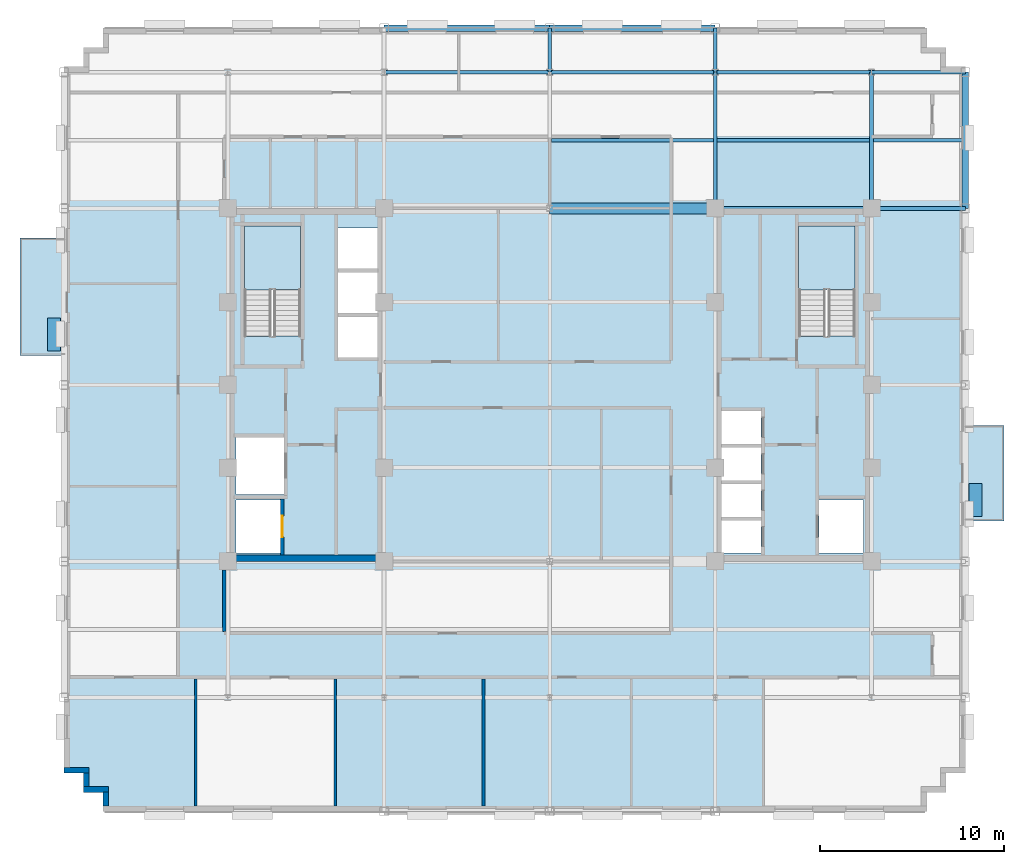
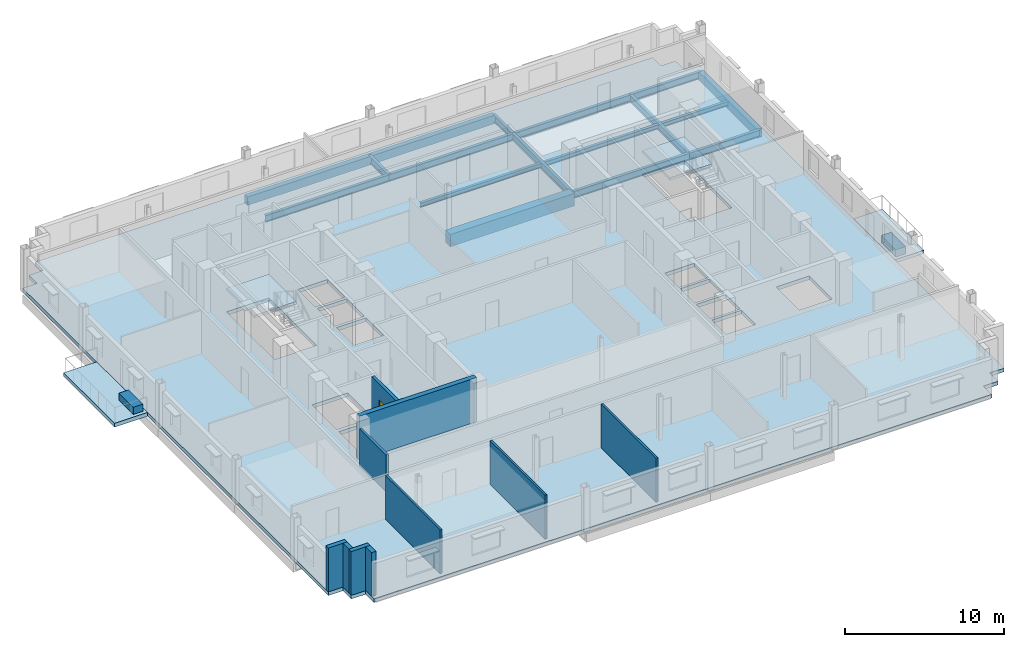
# One storey, part 6 of 15: 17 beams, 10 walls, 5 slabs, 2 plates, 1 door, 1 opening, 2 elements without a shape of their own.
"""IFC4 building model written with IfcOpenShell, lengths in metres."""

from ifc_helpers import new_model, si_unit, direction, frame, frame_2d, origin, origin_2d, place, context, subcontext, project, spatial, polyline, rectangle, i_section, outline, extrude, source, transform, mapped, material, layer, layer_set, material_profile, profile_set, type_object, type_shapes, element, fill, aggregate, save


model = new_model("IFC4")

# Units and contexts
model_context = context("Model", 3, precision=1e-05, world=origin(), true_north=direction((0.0, 1.0)))
body_context = subcontext(model_context, "Body", "Model", "MODEL_VIEW")
ifc_project = project(units=[si_unit("LENGTHUNIT", "METRE"), si_unit("AREAUNIT", "SQUARE_METRE"), si_unit("VOLUMEUNIT", "CUBIC_METRE"), si_unit("PLANEANGLEUNIT", "RADIAN"), si_unit("MASSUNIT", "GRAM", prefix="KILO")], contexts=[model_context])

# Site, building, storey
site_placement = place(None, origin())
site = spatial("IfcSite", under=ifc_project, at=site_placement, CompositionType="ELEMENT")
building_placement = place(site_placement, origin())
building = spatial("IfcBuilding", under=site, at=building_placement, Name="Nuvemarco Arch Tower", CompositionType="ELEMENT")
storey_placement = place(building_placement, frame((0.0, 0.0, 198.199951171875)))
storey = spatial("IfcBuildingStorey", under=building, at=storey_placement, Name="L52", CompositionType="ELEMENT", Elevation=198.199951171875)

# Beams
ifc_material_1 = material(Name="Concrete C60/75", Category="concrete")
ifc_material_profile_1 = material_profile(ifc_material_1, rectangle(XDim=0.60009765625, YDim=0.949951171875, at=origin_2d()), Name="RC-BM-600x950")
ifc_profile_set_1 = profile_set([ifc_material_profile_1], Name="Concrete C60/75")
beam_type_1 = type_object("IfcBeamType", Name="BM-COUP-RC", PredefinedType="LINTEL", material=ifc_profile_set_1)
beam_1_placement = place(storey_placement, frame((0.0, 9.60009765625, -0.7548828125), z_axis=(1.0, 0.0, 0.0), x_axis=(0.0, 1.0, 0.0)))
element("IfcBeam", 1, at=beam_1_placement, inside=storey, type_object=beam_type_1, Name="L52 structural beam BGEW_L52_0_+9.6_+0.0", PredefinedType="LINTEL", context=body_context, shape_type="SweptSolid", body=[
    extrude(rectangle(XDim=0.60009765625, YDim=0.949951171875, at=origin_2d()), origin(), (0.0, 0.0, 1.0), 9.0),
])
ifc_material_2 = material(Name="Steel S355", Category="steel")
ifc_material_profile_2 = material_profile(ifc_material_2, i_section(OverallWidth=0.2109375, OverallDepth=0.5390625, WebThickness=0.01171875, FlangeThickness=0.018798828125, FilletRadius=0.01611328125, at=origin_2d()), Name="W530x109")
ifc_profile_set_2 = profile_set([ifc_material_profile_2], Name="Steel S355")
beam_type_2 = type_object("IfcBeamType", Name="BM-GIRD-530", PredefinedType="BEAM", material=ifc_profile_set_2)
beam_2_placement = place(storey_placement, frame((0.0, 17.0, -0.549560546875), z_axis=(0.0, 1.0, 0.0), x_axis=(-1.0, 0.0, 0.0)))
element("IfcBeam", 2, at=beam_2_placement, inside=storey, type_object=beam_type_2, Name="L52 structural beam BGNS_L52_0_+0.0_+17.0", PredefinedType="BEAM", context=body_context, shape_type="SweptSolid", body=[
    extrude(i_section(OverallWidth=0.2109375, OverallDepth=0.5390625, WebThickness=0.01171875, FlangeThickness=0.018798828125, FilletRadius=0.01611328125, at=origin_2d()), origin(), (0.0, 0.0, 1.0), 2.39990234375),
])
beam_3_placement = place(storey_placement, frame((9.0, 9.60009765625, -0.549560546875), z_axis=(0.0, 1.0, 0.0), x_axis=(-1.0, 0.0, 0.0)))
element("IfcBeam", 3, at=beam_3_placement, inside=storey, type_object=beam_type_2, Name="L52 structural beam BGNS_L52_0_+9.0_+9.6", PredefinedType="BEAM", context=body_context, shape_type="SweptSolid", body=[
    extrude(i_section(OverallWidth=0.2109375, OverallDepth=0.5390625, WebThickness=0.01171875, FlangeThickness=0.018798828125, FilletRadius=0.01611328125, at=origin_2d()), origin(), (0.0, 0.0, 1.0), 7.39990234375),
])
beam_4_placement = place(storey_placement, frame((9.0, 17.0, -0.549560546875), z_axis=(0.0, 1.0, 0.0), x_axis=(-1.0, 0.0, 0.0)))
element("IfcBeam", 4, at=beam_4_placement, inside=storey, type_object=beam_type_2, Name="L52 structural beam BGNS_L52_0_+9.0_+17.0", PredefinedType="BEAM", context=body_context, shape_type="SweptSolid", body=[
    extrude(i_section(OverallWidth=0.2109375, OverallDepth=0.5390625, WebThickness=0.01171875, FlangeThickness=0.018798828125, FilletRadius=0.01611328125, at=origin_2d()), origin(), (0.0, 0.0, 1.0), 2.39990234375),
])
beam_5_placement = place(storey_placement, frame((17.5, 9.60009765625, -0.549560546875), z_axis=(0.0, 1.0, 0.0), x_axis=(-1.0, 0.0, 0.0)))
element("IfcBeam", 5, at=beam_5_placement, inside=storey, type_object=beam_type_2, Name="L52 structural beam BGNS_L52_0_+17.5_+9.6", PredefinedType="BEAM", context=body_context, shape_type="SweptSolid", body=[
    extrude(i_section(OverallWidth=0.2109375, OverallDepth=0.5390625, WebThickness=0.01171875, FlangeThickness=0.018798828125, FilletRadius=0.01611328125, at=origin_2d()), origin(), (0.0, 0.0, 1.0), 7.39990234375),
])
beam_6_placement = place(storey_placement, frame((9.0, 9.60009765625, -0.549560546875), z_axis=(1.0, 0.0, 0.0), x_axis=(0.0, 1.0, 0.0)))
element("IfcBeam", 6, at=beam_6_placement, inside=storey, type_object=beam_type_2, Name="L52 structural beam BGEW_L52_0_+9.6_+9.0", PredefinedType="BEAM", context=body_context, shape_type="SweptSolid", body=[
    extrude(i_section(OverallWidth=0.2109375, OverallDepth=0.5390625, WebThickness=0.01171875, FlangeThickness=0.018798828125, FilletRadius=0.01611328125, at=origin_2d()), origin(), (0.0, 0.0, 1.0), 8.5),
])
beam_7_placement = place(storey_placement, frame((17.5, 9.60009765625, -0.549560546875), z_axis=(1.0, 0.0, 0.0), x_axis=(0.0, 1.0, 0.0)))
element("IfcBeam", 7, at=beam_7_placement, inside=storey, type_object=beam_type_2, Name="L52 structural beam BGEW_L52_0_+9.6_+17.5", PredefinedType="BEAM", context=body_context, shape_type="SweptSolid", body=[
    extrude(i_section(OverallWidth=0.2109375, OverallDepth=0.5390625, WebThickness=0.01171875, FlangeThickness=0.018798828125, FilletRadius=0.01611328125, at=origin_2d()), origin(), (0.0, 0.0, 1.0), 5.10009765625),
])
for number, where, z_axis, x_axis, name in (
    (8, (-9.0, 17.0, -0.549560546875), (1.0, 0.0, 0.0), (0.0, 1.0, 0.0), "L52 structural beam BGEW_L52_0_+17.0_-9.0"),
    (9, (0.0, 17.0, -0.549560546875), (1.0, 0.0, 0.0), (0.0, 1.0, 0.0), "L52 structural beam BGEW_L52_0_+17.0_+0.0"),
):
    element("IfcBeam", number, at=place(storey_placement, frame(where, z_axis=z_axis, x_axis=x_axis)), inside=storey, type_object=beam_type_2, Name=name, PredefinedType="BEAM", context=body_context, shape_type="SweptSolid", body=[
        extrude(i_section(OverallWidth=0.2109375, OverallDepth=0.5390625, WebThickness=0.01171875, FlangeThickness=0.018798828125, FilletRadius=0.01611328125, at=origin_2d()), origin(), (0.0, 0.0, 1.0), 9.0),
    ])
beam_8_placement = place(storey_placement, frame((9.0, 17.0, -0.549560546875), z_axis=(1.0, 0.0, 0.0), x_axis=(0.0, 1.0, 0.0)))
element("IfcBeam", 10, at=beam_8_placement, inside=storey, type_object=beam_type_2, Name="L52 structural beam BGEW_L52_0_+17.0_+9.0", PredefinedType="BEAM", context=body_context, shape_type="SweptSolid", body=[
    extrude(i_section(OverallWidth=0.2109375, OverallDepth=0.5390625, WebThickness=0.01171875, FlangeThickness=0.018798828125, FilletRadius=0.01611328125, at=origin_2d()), origin(), (0.0, 0.0, 1.0), 8.5),
])
beam_9_placement = place(storey_placement, frame((17.5, 17.0, -0.549560546875), z_axis=(1.0, 0.0, 0.0), x_axis=(0.0, 1.0, 0.0)))
element("IfcBeam", 11, at=beam_9_placement, inside=storey, type_object=beam_type_2, Name="L52 structural beam BGEW_L52_0_+17.0_+17.5", PredefinedType="BEAM", context=body_context, shape_type="SweptSolid", body=[
    extrude(i_section(OverallWidth=0.2109375, OverallDepth=0.5390625, WebThickness=0.01171875, FlangeThickness=0.018798828125, FilletRadius=0.01611328125, at=origin_2d()), origin(), (0.0, 0.0, 1.0), 5.10009765625),
])
ifc_material_profile_3 = material_profile(ifc_material_2, i_section(OverallWidth=0.202880859375, OverallDepth=0.346923828125, WebThickness=0.0078125, FlangeThickness=0.013427734375, FilletRadius=0.014892578125, at=origin_2d()), Name="W360x64")
ifc_profile_set_3 = profile_set([ifc_material_profile_3], Name="Steel S355")
beam_type_3 = type_object("IfcBeamType", Name="BM-JOIST-360", PredefinedType="JOIST", material=ifc_profile_set_3)
beam_10_placement = place(storey_placement, frame((0.10546875, 13.300048828125, -0.453369140625), z_axis=(1.0, 0.0, 0.0), x_axis=(0.0, 1.0, 0.0)))
element("IfcBeam", 12, at=beam_10_placement, inside=storey, type_object=beam_type_3, Name="L52 structural beam BJ_L52_0_+13.3_+0.0", PredefinedType="JOIST", context=body_context, shape_type="SweptSolid", body=[
    extrude(i_section(OverallWidth=0.202880859375, OverallDepth=0.346923828125, WebThickness=0.0078125, FlangeThickness=0.013427734375, FilletRadius=0.014892578125, at=origin_2d()), origin(), (0.0, 0.0, 1.0), 8.7890625),
])
beam_11_placement = place(storey_placement, frame((9.10546875, 13.300048828125, -0.453369140625), z_axis=(1.0, 0.0, 0.0), x_axis=(0.0, 1.0, 0.0)))
element("IfcBeam", 13, at=beam_11_placement, inside=storey, type_object=beam_type_3, Name="L52 structural beam BJ_L52_0_+13.3_+9.0", PredefinedType="JOIST", context=body_context, shape_type="SweptSolid", body=[
    extrude(i_section(OverallWidth=0.202880859375, OverallDepth=0.346923828125, WebThickness=0.0078125, FlangeThickness=0.013427734375, FilletRadius=0.014892578125, at=origin_2d()), origin(), (0.0, 0.0, 1.0), 8.2890625),
])
beam_12_placement = place(storey_placement, frame((17.60546875, 13.300048828125, -0.453369140625), z_axis=(1.0, 0.0, 0.0), x_axis=(0.0, 1.0, 0.0)))
element("IfcBeam", 14, at=beam_12_placement, inside=storey, type_object=beam_type_3, Name="L52 structural beam BJ_L52_0_+13.3_+17.5", PredefinedType="JOIST", context=body_context, shape_type="SweptSolid", body=[
    extrude(i_section(OverallWidth=0.202880859375, OverallDepth=0.346923828125, WebThickness=0.0078125, FlangeThickness=0.013427734375, FilletRadius=0.014892578125, at=origin_2d()), origin(), (0.0, 0.0, 1.0), 4.819580078125),
])
ifc_material_3 = material(Name="Precast concrete C45/55", Category="concrete")
ifc_material_profile_4 = material_profile(ifc_material_3, rectangle(XDim=0.35009765625, YDim=0.64990234375, at=origin_2d()), Name="PC-SP-350x650")
ifc_profile_set_4 = profile_set([ifc_material_profile_4], Name="Precast concrete C45/55")
beam_type_4 = type_object("IfcBeamType", Name="BM-SPAN-RC", PredefinedType="SPANDREL", material=ifc_profile_set_4)
beam_13_placement = place(storey_placement, frame((22.60009765625, 9.60009765625, -0.60498046875), z_axis=(0.0, 1.0, 0.0), x_axis=(-1.0, 0.0, 0.0)))
element("IfcBeam", 15, at=beam_13_placement, inside=storey, type_object=beam_type_4, Name="L52 structural beam BGNS_L52_0_+22.6_+9.6", PredefinedType="SPANDREL", context=body_context, shape_type="SweptSolid", body=[
    extrude(rectangle(XDim=0.35009765625, YDim=0.64990234375, at=origin_2d()), origin(), (0.0, 0.0, 1.0), 7.39990234375),
])
for number, where, z_axis, x_axis, name in (
    (16, (-9.0, 19.39990234375, -0.60498046875), (1.0, 0.0, 0.0), (0.0, 1.0, 0.0), "L52 structural beam BGEW_L52_0_+19.4_-9.0"),
    (17, (0.0, 19.39990234375, -0.60498046875), (1.0, 0.0, 0.0), (0.0, 1.0, 0.0), "L52 structural beam BGEW_L52_0_+19.4_+0.0"),
):
    element("IfcBeam", number, at=place(storey_placement, frame(where, z_axis=z_axis, x_axis=x_axis)), inside=storey, type_object=beam_type_4, Name=name, PredefinedType="SPANDREL", context=body_context, shape_type="SweptSolid", body=[
        extrude(rectangle(XDim=0.35009765625, YDim=0.64990234375, at=origin_2d()), origin(), (0.0, 0.0, 1.0), 9.0),
    ])

# Slab
ifc_material_4 = material(Name="Concrete C50/60", Category="concrete")
ifc_layer_1 = layer(ifc_material_4, 0.280029296875, Name="SL-FLR-280")
ifc_layer_set_1 = layer_set([ifc_layer_1], Name="Concrete C50/60")
slab_type_1 = type_object("IfcSlabType", Name="SL-FLR-280", PredefinedType="FLOOR", material=ifc_layer_set_1)
slab_1_placement = place(storey_placement, frame((0.0, 0.0, -0.280029296875)))
element("IfcSlab", 18, at=slab_1_placement, inside=storey, type_object=slab_type_1, Name="L52 structural floor slab", PredefinedType="FLOOR", context=body_context, shape_type="SweptSolid", body=[
    extrude(outline(polyline([(-24.300048828125, -23.199951171875), (20.5, -23.199951171875), (20.5, -22.14990234375), (21.550048828125, -22.14990234375), (21.550048828125, -21.10009765625), (22.60009765625, -21.10009765625), (22.60009765625, 17.300048828125), (21.550048828125, 17.300048828125), (21.550048828125, 18.35009765625), (20.5, 18.35009765625), (20.5, 19.39990234375), (-24.300048828125, 19.39990234375), (-24.300048828125, 18.35009765625), (-25.35009765625, 18.35009765625), (-25.35009765625, 17.300048828125), (-26.39990234375, 17.300048828125), (-26.39990234375, -21.10009765625), (-25.35009765625, -21.10009765625), (-25.35009765625, -22.14990234375), (-24.300048828125, -22.14990234375), (-24.300048828125, -23.199951171875)]), holes=[polyline([(-13.5400390625, 2.669921875), (-13.5400390625, 8.64990234375), (-16.60009765625, 8.64990234375), (-16.60009765625, 2.630615234375), (-15.070068359375, 2.630615234375), (-15.070068359375, 2.669921875), (-13.5400390625, 2.669921875)]), polyline([(16.60009765625, 2.669921875), (16.60009765625, 8.64990234375), (13.5400390625, 8.64990234375), (13.5400390625, 2.630615234375), (15.070068359375, 2.630615234375), (15.070068359375, 2.669921875), (16.60009765625, 2.669921875)]), polyline([(-17.050048828125, -9.14990234375), (-14.64990234375, -9.14990234375), (-14.64990234375, -6.25), (-17.050048828125, -6.25), (-17.050048828125, -9.14990234375)]), polyline([(-17.050048828125, -5.949951171875), (-14.449951171875, -5.949951171875), (-14.449951171875, -2.85009765625), (-17.050048828125, -2.85009765625), (-17.050048828125, -5.949951171875)]), polyline([(-11.5, 1.5), (-9.35009765625, 1.5), (-9.35009765625, 3.699951171875), (-11.5, 3.699951171875), (-11.5, 1.5)]), polyline([(-11.5, 3.919921875), (-9.35009765625, 3.919921875), (-9.35009765625, 6.1201171875), (-11.5, 6.1201171875), (-11.5, 3.919921875)]), polyline([(-11.5, 6.340087890625), (-9.35009765625, 6.340087890625), (-9.35009765625, 8.5400390625), (-11.5, 8.5400390625), (-11.5, 6.340087890625)]), polyline([(14.64990234375, -9.14990234375), (17.050048828125, -9.14990234375), (17.050048828125, -6.25), (14.64990234375, -6.25), (14.64990234375, -9.14990234375)]), polyline([(9.35009765625, -9.14990234375), (11.5, -9.14990234375), (11.5, -7.3701171875), (9.35009765625, -7.3701171875), (9.35009765625, -9.14990234375)]), polyline([(9.35009765625, -7.169921875), (11.5, -7.169921875), (11.5, -5.389892578125), (9.35009765625, -5.389892578125), (9.35009765625, -7.169921875)]), polyline([(9.35009765625, -5.18994140625), (11.5, -5.18994140625), (11.5, -3.409912109375), (9.35009765625, -3.409912109375), (9.35009765625, -5.18994140625)]), polyline([(9.35009765625, -3.2099609375), (11.5, -3.2099609375), (11.5, -1.429931640625), (9.35009765625, -1.429931640625), (9.35009765625, -3.2099609375)])]), origin(), (0.0, 0.0, 1.0), 0.280029296875),
])

# Stair, slab
stair_type = type_object("IfcStairType", Name="ST-CORE-20R", PredefinedType="HALF_TURN_STAIR", material=ifc_material_3)
stair_1_placement = place(storey_placement, origin())
stair_1 = element("IfcStair", 19, at=stair_1_placement, inside=storey, type_object=stair_type, Name="L52 Protected Exit Stair ST-1", PredefinedType="HALF_TURN_STAIR")
ifc_layer_2 = layer(ifc_material_3, 0.199951171875, Name="SL-LANDING-200")
ifc_layer_set_2 = layer_set([ifc_layer_2], Name="Precast concrete C45/55")
slab_type_2 = type_object("IfcSlabType", Name="SL-LANDING-200", PredefinedType="LANDING", material=ifc_layer_set_2)
slab_2_placement = place(storey_placement, frame((0.0, 0.0, 1.625)))
slab_2 = element("IfcSlab", 20, at=slab_2_placement, type_object=slab_type_2, Name="ST-20R landing 1", PredefinedType="LANDING", context=body_context, shape_type="SweptSolid", body=[
    extrude(outline(polyline([(-13.5400390625, 5.189453125), (-13.5400390625, 8.64990234375), (-16.60009765625, 8.64990234375), (-16.60009765625, 5.169921875), (-15.070068359375, 5.169921875), (-15.070068359375, 5.189453125), (-13.5400390625, 5.189453125)])), origin(), (0.0, 0.0, 1.0), 0.199951171875),
])
aggregate(stair_1, [slab_2])

stair_2_placement = place(storey_placement, origin())
stair_2 = element("IfcStair", 21, at=stair_2_placement, inside=storey, type_object=stair_type, Name="L52 Protected Exit Stair ST-2", PredefinedType="HALF_TURN_STAIR")
slab_3_placement = place(storey_placement, frame((0.0, 0.0, 1.625)))
slab_3 = element("IfcSlab", 22, at=slab_3_placement, type_object=slab_type_2, Name="ST-20R landing 1", PredefinedType="LANDING", context=body_context, shape_type="SweptSolid", body=[
    extrude(outline(polyline([(16.60009765625, 5.189453125), (16.60009765625, 8.64990234375), (13.5400390625, 8.64990234375), (13.5400390625, 5.169921875), (15.070068359375, 5.169921875), (15.070068359375, 5.189453125), (16.60009765625, 5.189453125)])), origin(), (0.0, 0.0, 1.0), 0.199951171875),
])
aggregate(stair_2, [slab_3])

# Slabs
ifc_layer_3 = layer(ifc_material_4, 0.264892578125, Name="SL-TB1")
ifc_layer_set_3 = layer_set([ifc_layer_3], Name="Concrete C50/60")
slab_type_3 = type_object("IfcSlabType", Name="SL-TB1", PredefinedType="FLOOR", material=ifc_layer_set_3)
slab_4_placement = place(storey_placement, frame((0.0, 0.0, -0.264892578125)))
element("IfcSlab", 23, at=slab_4_placement, inside=storey, type_object=slab_type_3, Name="L52 outdoor tree balcony slab 2", PredefinedType="FLOOR", context=body_context, shape_type="SweptSolid", body=[
    extrude(outline(polyline([(22.60009765625, -7.39990234375), (24.699951171875, -7.39990234375), (24.699951171875, -2.199951171875), (22.60009765625, -2.199951171875), (22.60009765625, -7.39990234375)])), origin(), (0.0, 0.0, 1.0), 0.264892578125),
])
ifc_layer_4 = layer(ifc_material_4, 0.294921875, Name="SL-TR4")
ifc_layer_set_4 = layer_set([ifc_layer_4], Name="Concrete C50/60")
slab_type_4 = type_object("IfcSlabType", Name="SL-TR4", PredefinedType="FLOOR", material=ifc_layer_set_4)
slab_5_placement = place(storey_placement, frame((0.0, 0.0, -0.294921875)))
element("IfcSlab", 24, at=slab_5_placement, inside=storey, type_object=slab_type_4, Name="L52 outdoor spiral terrace slab 1", PredefinedType="FLOOR", context=body_context, shape_type="SweptSolid", body=[
    extrude(outline(polyline([(-28.800048828125, 1.60009765625), (-26.39990234375, 1.60009765625), (-26.39990234375, 8.0), (-28.800048828125, 8.0), (-28.800048828125, 1.60009765625)])), origin(), (0.0, 0.0, 1.0), 0.294921875),
])

# Plates
ifc_layer_5 = layer(ifc_material_3, 0.550048828125, Name="Tree Balcony Structural Planter")
ifc_layer_set_5 = layer_set([ifc_layer_5], Name="Precast concrete C45/55")
plate_type = type_object("IfcPlateType", Name="Tree Balcony Structural Planter", PredefinedType="USERDEFINED", material=ifc_layer_set_5)
shared_shape_1 = source(origin(), body_context, "Body", "SweptSolid", [
    extrude(rectangle(XDim=1.800048828125, YDim=0.699951171875, at=origin_2d()), origin(), (0.0, 0.0, 1.0), 0.550048828125),
])
type_shapes(plate_type, [shared_shape_1])
for number, where, z_axis, x_axis, name in (
    (25, (-26.949951171875, 2.75, 0.0), (0.0, 0.0, 1.0), (0.0, 1.0, 0.0), "L52 Tree Balcony Structural Planter"),
    (26, (23.14990234375, -6.25, 0.0), (0.0, 0.0, 1.0), (0.0, 1.0, 0.0), "L52 Tree Balcony Structural Planter"),
):
    element("IfcPlate", number, at=place(storey_placement, frame(where, z_axis=z_axis, x_axis=x_axis)), inside=storey, type_object=plate_type, Name=name, ObjectType="PLANTER", PredefinedType="USERDEFINED", context=body_context, shape_type="MappedRepresentation", body=[
        mapped(shared_shape_1, transform((0.0, 0.0, 0.0), scale=1.0)),
    ])

# Walls
ifc_layer_6 = layer(ifc_material_3, 0.31005859375, Name="EW-UPP-310")
ifc_layer_set_6 = layer_set([ifc_layer_6], Name="Precast concrete C45/55")
wall_type_1 = type_object("IfcWallType", Name="EW-UPP-310", PredefinedType="STANDARD", material=ifc_layer_set_6)
wall_1_placement = place(storey_placement, frame((-26.39990234375, -20.945068359375, 0.0), z_axis=(0.0, 0.0, 1.0), x_axis=(1.0, 0.0, 0.0)))
element("IfcWall", 27, at=wall_1_placement, inside=storey, type_object=wall_type_1, Name="L52 exterior precast facade wall 17", PredefinedType="STANDARD", context=body_context, shape_type="SweptSolid", body=[
    extrude(rectangle(XDim=1.35986328125, YDim=0.31005859375, at=frame_2d((0.679931640625, 0.0))), origin(), (0.0, 0.0, 1.0), 3.360107421875),
])
wall_2_placement = place(storey_placement, frame((-25.195068359375, -21.843994140625, 0.0), z_axis=(0.0, 0.0, 1.0), x_axis=(0.0, 1.0, 0.0)))
element("IfcWall", 28, at=wall_2_placement, inside=storey, type_object=wall_type_1, Name="L52 exterior precast facade wall 18", PredefinedType="STANDARD", context=body_context, shape_type="SweptSolid", body=[
    extrude(rectangle(XDim=0.748046875, YDim=0.31005859375, at=frame_2d((0.3740234375, 0.0))), origin(), (0.0, 0.0, 1.0), 3.360107421875),
])
wall_3_placement = place(storey_placement, frame((-25.35009765625, -21.9951171875, 0.0), z_axis=(0.0, 0.0, 1.0), x_axis=(1.0, 0.0, 0.0)))
element("IfcWall", 29, at=wall_3_placement, inside=storey, type_object=wall_type_1, Name="L52 exterior precast facade wall 19", PredefinedType="STANDARD", context=body_context, shape_type="SweptSolid", body=[
    extrude(rectangle(XDim=1.360107421875, YDim=0.31005859375, at=frame_2d((0.68017578125, 0.0))), origin(), (0.0, 0.0, 1.0), 3.360107421875),
])
wall_4_placement = place(storey_placement, frame((-24.14501953125, -22.89404296875, 0.0), z_axis=(0.0, 0.0, 1.0), x_axis=(0.0, 1.0, 0.0)))
element("IfcWall", 30, at=wall_4_placement, inside=storey, type_object=wall_type_1, Name="L52 exterior precast facade wall 20", PredefinedType="STANDARD", context=body_context, shape_type="SweptSolid", body=[
    extrude(rectangle(XDim=0.748046875, YDim=0.31005859375, at=frame_2d((0.3740234375, 0.0))), origin(), (0.0, 0.0, 1.0), 3.360107421875),
])
ifc_layer_7 = layer(ifc_material_4, 0.35009765625, Name="WL-CORE-350")
ifc_layer_set_7 = layer_set([ifc_layer_7], Name="Concrete C50/60")
wall_type_2 = type_object("IfcWallType", Name="WL-CORE-350", PredefinedType="SHEAR", material=ifc_layer_set_7)
wall_5_placement = place(storey_placement, frame((-17.5, -9.425048828125, 0.0), z_axis=(0.0, 0.0, 1.0), x_axis=(1.0, 0.0, 0.0)))
element("IfcWall", 31, at=wall_5_placement, inside=storey, type_object=wall_type_2, Name="L52 W-core shear wall S", PredefinedType="SHEAR", context=body_context, shape_type="SweptSolid", body=[
    extrude(rectangle(XDim=8.5, YDim=0.35009765625, at=frame_2d((4.25, 0.0))), origin(), (0.0, 0.0, 1.0), 3.3701171875),
])
ifc_material_5 = material(Name="Fire-rated gypsum drywall partition")
ifc_layer_8 = layer(ifc_material_5, 0.179931640625, Name="WL-CORR-180")
ifc_layer_set_8 = layer_set([ifc_layer_8], Name="Fire-rated gypsum drywall partition")
wall_type_3 = type_object("IfcWallType", Name="WL-CORR-180", PredefinedType="PARTITIONING", material=ifc_layer_set_8)
wall_6_placement = place(storey_placement, frame((-17.699951171875, -13.4140625, 0.0), z_axis=(0.0, 0.0, 1.0), x_axis=(0.0, 1.0, 0.0)))
element("IfcWall", 32, at=wall_6_placement, inside=storey, type_object=wall_type_3, Name="L52 interior wall IW-L52-018", PredefinedType="PARTITIONING", context=body_context, shape_type="SweptSolid", body=[
    extrude(rectangle(XDim=3.343017578125, YDim=0.179931640625, at=frame_2d((1.67138671875, 0.0))), origin(), (0.0, 0.0, 1.0), 2.816162109375),
])
ifc_material_6 = material(Name="Gypsum plasterboard partition")
ifc_layer_9 = layer(ifc_material_6, 0.139892578125, Name="WL-ROOM-140")
ifc_layer_set_9 = layer_set([ifc_layer_9], Name="Gypsum plasterboard partition")
wall_type_4 = type_object("IfcWallType", Name="WL-ROOM-140", PredefinedType="PARTITIONING", material=ifc_layer_set_9)
for number, where, z_axis, x_axis, name in (
    (33, (-19.25, -22.889892578125, 0.0), (0.0, 0.0, 1.0), (0.0, 1.0, 0.0), "L52 interior wall IW-L52-017"),
    (34, (-11.64990234375, -22.889892578125, 0.0), (0.0, 0.0, 1.0), (0.0, 1.0, 0.0), "L52 interior wall IW-L52-022"),
    (35, (-3.60009765625, -22.889892578125, 0.0), (0.0, 0.0, 1.0), (0.0, 1.0, 0.0), "L52 interior wall IW-L52-025"),
):
    element("IfcWall", number, at=place(storey_placement, frame(where, z_axis=z_axis, x_axis=x_axis)), inside=storey, type_object=wall_type_4, Name=name, PredefinedType="PARTITIONING", context=body_context, shape_type="SweptSolid", body=[
        extrude(rectangle(XDim=6.90380859375, YDim=0.139892578125, at=frame_2d((3.451904296875, 0.0))), origin(), (0.0, 0.0, 1.0), 3.360107421875),
    ])

# Wall, opening, door
ifc_layer_10 = layer(ifc_material_4, 0.199951171875, Name="WL-SHAFT-220")
ifc_layer_set_10 = layer_set([ifc_layer_10], Name="Concrete C50/60")
wall_type_5 = type_object("IfcWallType", Name="WL-SHAFT-220", PredefinedType="SHEAR", material=ifc_layer_set_10)
wall_7_placement = place(storey_placement, frame((-14.550048828125, -9.2548828125, 0.0), z_axis=(0.0, 0.0, 1.0), x_axis=(0.0, 1.0, 0.0)))
wall_7 = element("IfcWall", 36, at=wall_7_placement, inside=storey, type_object=wall_type_5, Name="L52 structural shaft wall SW-L52-W-SHE", PredefinedType="SHEAR", context=body_context, shape_type="SweptSolid", body=[
    extrude(rectangle(XDim=3.059814453125, YDim=0.199951171875, at=frame_2d((1.52978515625, 0.0))), origin(), (0.0, 0.0, 1.0), 3.3701171875),
])
opening_placement = place(wall_7_placement, frame((0.97998046875, 0.0, 0.0)))
opening = element("IfcOpeningElement", 37, at=opening_placement, cuts=wall_7, Name="Opening LD-2", PredefinedType="OPENING", context=body_context, shape_type="SweptSolid", body=[
    extrude(rectangle(XDim=1.14990234375, YDim=2.14990234375, at=frame_2d((0.574951171875, 1.074951171875))), frame((0.0, 0.10986328125, 0.0), z_axis=(0.0, -1.0, 0.0), x_axis=(1.0, 0.0, 0.0)), (0.0, 0.0, 1.0), 0.219970703125),
])
ifc_material_7 = material(Name="Stainless steel lift door", Category="steel")
door_type = type_object("IfcDoorType", Name="DR-LIFT-FIRE", OperationType="DOUBLE_DOOR_SLIDING", PredefinedType="DOOR", material=ifc_material_7)
shared_shape_2 = source(origin(), body_context, "Body", "SweptSolid", [
    extrude(rectangle(XDim=1.14990234375, YDim=2.14990234375, at=frame_2d((0.574951171875, 1.074951171875))), frame((0.0, 0.02490234375, 0.0), z_axis=(0.0, -1.0, 0.0), x_axis=(1.0, 0.0, 0.0)), (0.0, 0.0, 1.0), 0.050048828125),
])
type_shapes(door_type, [shared_shape_2])
door_placement = place(opening_placement, origin())
door = element("IfcDoor", 38, at=door_placement, inside=storey, type_object=door_type, Name="L52 Lift landing sliding door FFL-1", OperationType="DOUBLE_DOOR_SLIDING", OverallHeight=2.14990234375, OverallWidth=1.14990234375, PredefinedType="DOOR", context=body_context, shape_type="MappedRepresentation", body=[
    mapped(shared_shape_2, transform((0.0, 0.0, 0.0), scale=1.0)),
])
fill(opening, door)

save(model, "model.ifc")
